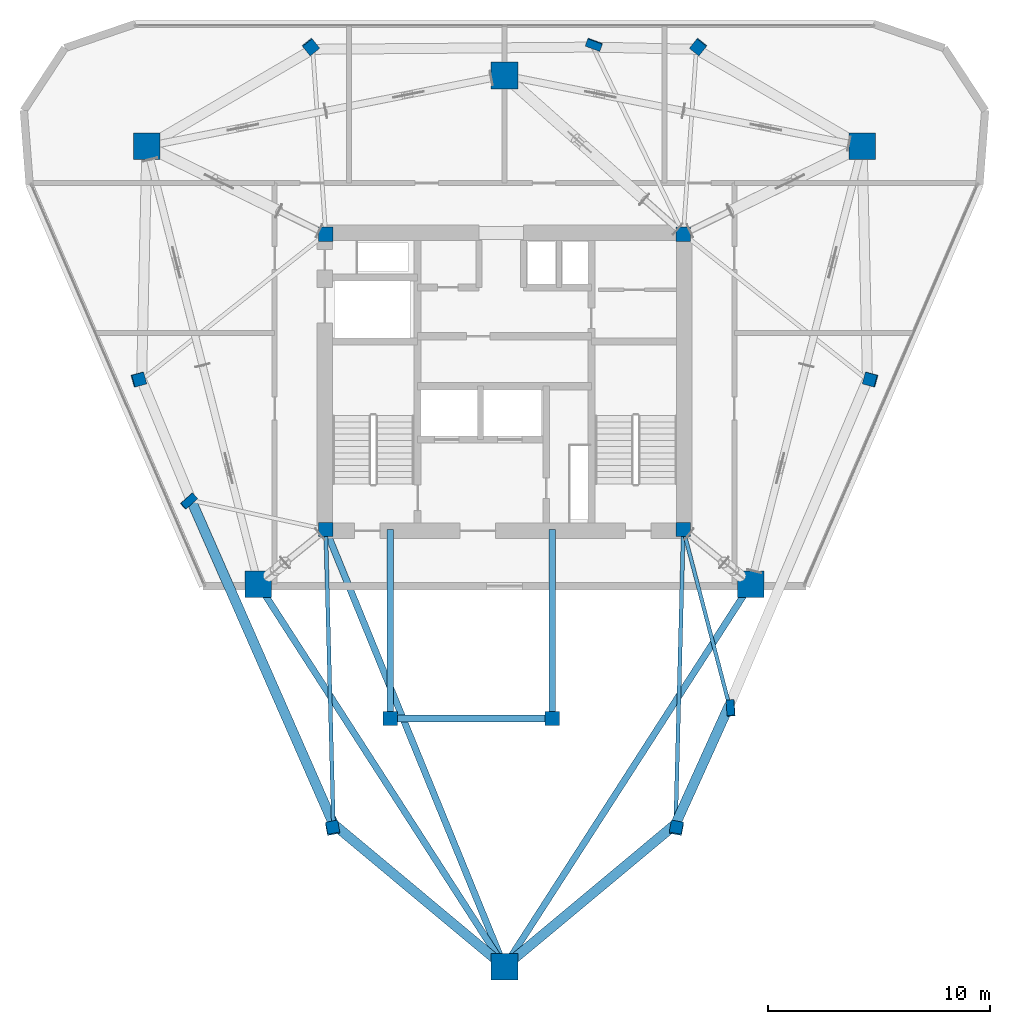
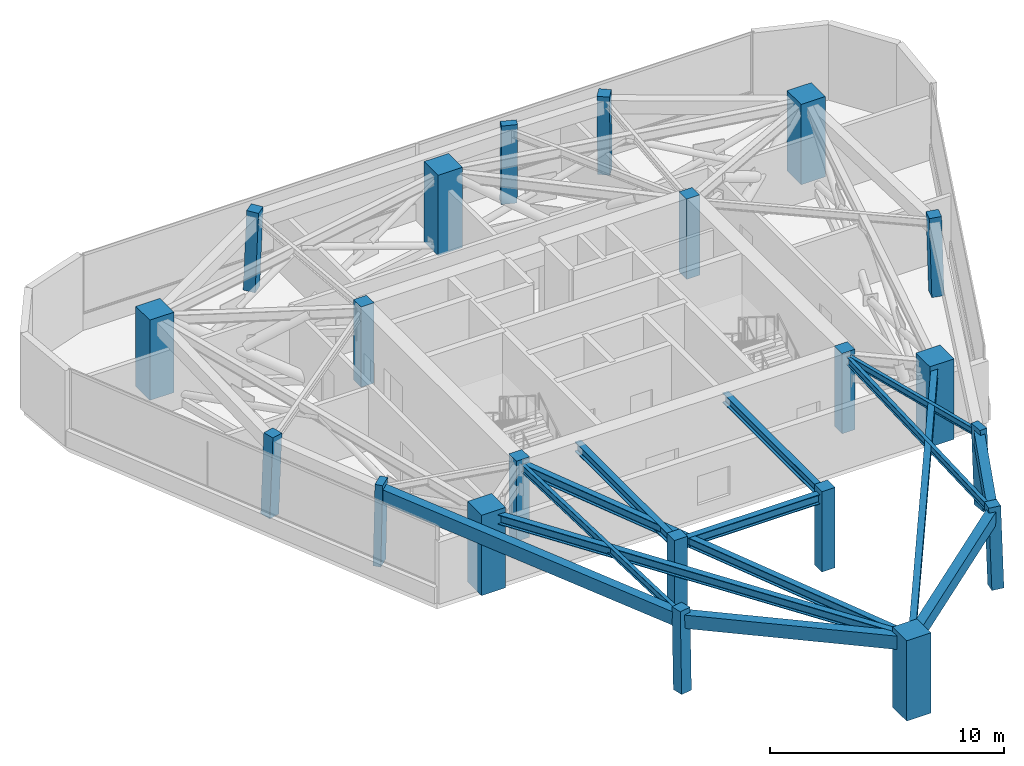
# One storey, part 1 of 9: 21 columns, 13 beams.
"""IFC4 building model written with IfcOpenShell, lengths in metres."""

from ifc_helpers import new_model, si_unit, direction, frame, origin, origin_2d, place, context, subcontext, project, spatial, rectangle, i_section, extrude, material, material_profile, profile_set, type_object, element, save


model = new_model("IFC4")

# Units and contexts
model_context = context("Model", 3, precision=1e-05, world=origin(), true_north=direction((0.0, 1.0)))
body_context = subcontext(model_context, "Body", "Model", "MODEL_VIEW")
ifc_project = project(units=[si_unit("LENGTHUNIT", "METRE"), si_unit("AREAUNIT", "SQUARE_METRE"), si_unit("VOLUMEUNIT", "CUBIC_METRE"), si_unit("PLANEANGLEUNIT", "RADIAN"), si_unit("MASSUNIT", "GRAM", prefix="KILO")], contexts=[model_context])

# Site, building, storey
site_placement = place(None, origin())
site = spatial("IfcSite", under=ifc_project, at=site_placement, CompositionType="ELEMENT")
building_placement = place(site_placement, origin())
building = spatial("IfcBuilding", under=site, at=building_placement, Name="Talyreon Biosciences Tower", CompositionType="ELEMENT")
storey_placement = place(building_placement, frame((0.0, 0.0, 279.60009765625)))
storey = spatial("IfcBuildingStorey", under=building, at=storey_placement, Name="L74", CompositionType="ELEMENT", Elevation=279.60009765625)

# Columns
ifc_material_1 = material(Name="Precast concrete C45/55", Category="concrete")
ifc_material_profile_1 = material_profile(ifc_material_1, rectangle(XDim=0.699951171875, YDim=0.35009765625, at=origin_2d()), Name="RC 700x350")
ifc_profile_set_1 = profile_set([ifc_material_profile_1], Name="Precast concrete C45/55")
column_type_1 = type_object("IfcColumnType", Name="FacadePilaster_700x350", PredefinedType="PILASTER", material=ifc_profile_set_1)
column_1_placement = place(storey_placement, frame((76.19189453125, 53.293212890625, 0.0029296875), z_axis=(-0.016985598882, 0.033331329314, 0.999300010966), x_axis=(0.063096699788, -0.997416414034, 0.034340988508)))
element("IfcColumn", 1, at=column_1_placement, inside=storey, type_object=column_type_1, Name="L74 Facade Pilaster PL-SE", PredefinedType="PILASTER", context=body_context, shape_type="SweptSolid", body=[
    extrude(rectangle(XDim=0.699951171875, YDim=0.35009765625, at=origin_2d()), origin(), (0.0, 0.0, 1.0), 4.197021484375),
])
column_2_placement = place(storey_placement, frame((70.031005859375, 83.189453125, 0.0029296875), z_axis=(-0.010763761875, -0.029149430808, 0.999517109465), x_axis=(-0.9380871136, 0.346399433166, 0.0)))
element("IfcColumn", 2, at=column_2_placement, inside=storey, type_object=column_type_1, Name="L74 Facade Pilaster PL-N", PredefinedType="PILASTER", context=body_context, shape_type="SweptSolid", body=[
    extrude(rectangle(XDim=0.699951171875, YDim=0.35009765625, at=origin_2d()), origin(), (0.0, 0.0, 1.0), 4.196044921875),
])
column_3_placement = place(storey_placement, frame((51.77685546875, 62.622314453125, 0.0029296875), z_axis=(0.027754588644, 0.009193343828, 0.999572491237), x_axis=(0.746314691769, 0.665051907113, -0.0268391821)))
element("IfcColumn", 3, at=column_3_placement, inside=storey, type_object=column_type_1, Name="L74 Facade Pilaster PL-SW", PredefinedType="PILASTER", context=body_context, shape_type="SweptSolid", body=[
    extrude(rectangle(XDim=0.699951171875, YDim=0.35009765625, at=origin_2d()), origin(), (0.0, 0.0, 1.0), 4.19580078125),
])
ifc_material_2 = material(Name="Concrete C50/60", Category="concrete")
ifc_material_profile_2 = material_profile(ifc_material_2, rectangle(XDim=1.199951171875, YDim=1.199951171875, at=origin_2d()), Name="RC 1200x1200")
ifc_profile_set_2 = profile_set([ifc_material_profile_2], Name="Concrete C50/60")
column_type_2 = type_object("IfcColumnType", Name="MegaColumn_1200", PredefinedType="COLUMN", material=ifc_profile_set_2)
for number, where, z_axis, x_axis, name in (
    (4, (66.0, 41.6669921875, 0.0), (0.0, 0.0, 1.0), (1.0, 0.0, 0.0), "L74 Composite Mega-Column MC1"),
    (5, (82.102294921875, 78.5986328125, 0.0), (0.0, 0.0, 1.0), (1.0, 0.0, 0.0), "L74 Composite Mega-Column MC2"),
    (6, (49.897705078125, 78.5986328125, 0.0), (0.0, 0.0, 1.0), (1.0, 0.0, 0.0), "L74 Composite Mega-Column MC3"),
    (7, (77.086181640625, 58.88037109375, 0.0), (0.0, 0.0, 1.0), (1.0, 0.0, 0.0), "L74 Composite Mega-Column MC4"),
    (8, (66.0, 81.788818359375, 0.0), (0.0, 0.0, 1.0), (1.0, 0.0, 0.0), "L74 Composite Mega-Column MC5"),
    (9, (54.913818359375, 58.88037109375, 0.0), (0.0, 0.0, 1.0), (1.0, 0.0, 0.0), "L74 Composite Mega-Column MC6"),
):
    element("IfcColumn", number, at=place(storey_placement, frame(where, z_axis=z_axis, x_axis=x_axis)), inside=storey, type_object=column_type_2, Name=name, PredefinedType="COLUMN", context=body_context, shape_type="SweptSolid", body=[
        extrude(rectangle(XDim=1.199951171875, YDim=1.199951171875, at=origin_2d()), origin(), (0.0, 0.0, 1.0), 4.199951171875),
    ])
ifc_material_profile_3 = material_profile(ifc_material_2, rectangle(XDim=0.550048828125, YDim=0.550048828125, at=origin_2d()), Name="RC 550x550")
ifc_profile_set_3 = profile_set([ifc_material_profile_3], Name="Concrete C50/60")
column_type_3 = type_object("IfcColumnType", Name="PerimeterColumn_550", PredefinedType="COLUMN", material=ifc_profile_set_3)
column_4_placement = place(storey_placement, frame((73.748779296875, 47.890869140625, 0.0029296875), z_axis=(-0.010698106163, 0.047385633276, 0.998819379209), x_axis=(-0.18499287382, -0.981727594112, 0.044593358194)))
element("IfcColumn", 10, at=column_4_placement, inside=storey, type_object=column_type_3, Name="L74 Tapering Perimeter Column PC-SE1", PredefinedType="COLUMN", context=body_context, shape_type="SweptSolid", body=[
    extrude(rectangle(XDim=0.550048828125, YDim=0.550048828125, at=origin_2d()), origin(), (0.0, 0.0, 1.0), 4.198974609375),
])
column_5_placement = place(storey_placement, frame((82.48291015625, 68.10400390625, 0.0029296875), z_axis=(-0.034091179507, -0.004886790236, 0.999406779425), x_axis=(0.964424697996, -0.262460516516, 0.031614540406)))
element("IfcColumn", 11, at=column_5_placement, inside=storey, type_object=column_type_3, Name="L74 Tapering Perimeter Column PC-SE2", PredefinedType="COLUMN", context=body_context, shape_type="SweptSolid", body=[
    extrude(rectangle(XDim=0.550048828125, YDim=0.550048828125, at=origin_2d()), origin(), (0.0, 0.0, 1.0), 4.196533203125),
])
for number, where, z_axis, x_axis, name in (
    (12, (74.73388671875, 83.089599609375, 0.0029296875), (-0.023326184215, -0.02914318776, 0.999303038991), (-0.780716755404, 0.624885067698, 0.0), "L74 Tapering Perimeter Column PC-N1"),
    (13, (57.26611328125, 83.089599609375, 0.0029296875), (0.023326184215, -0.02914318776, 0.999303038991), (-0.780716755404, -0.624885067698, 0.0), "L74 Tapering Perimeter Column PC-N2"),
):
    element("IfcColumn", number, at=place(storey_placement, frame(where, z_axis=z_axis, x_axis=x_axis)), inside=storey, type_object=column_type_3, Name=name, PredefinedType="COLUMN", context=body_context, shape_type="SweptSolid", body=[
        extrude(rectangle(XDim=0.550048828125, YDim=0.550048828125, at=origin_2d()), origin(), (0.0, 0.0, 1.0), 4.197021484375),
    ])
column_6_placement = place(storey_placement, frame((49.51708984375, 68.10400390625, 0.0029296875), z_axis=(0.034091179507, -0.004886790236, 0.999406779425), x_axis=(0.964424697996, 0.262460516516, -0.031614540406)))
element("IfcColumn", 14, at=column_6_placement, inside=storey, type_object=column_type_3, Name="L74 Tapering Perimeter Column PC-SW1", PredefinedType="COLUMN", context=body_context, shape_type="SweptSolid", body=[
    extrude(rectangle(XDim=0.550048828125, YDim=0.550048828125, at=origin_2d()), origin(), (0.0, 0.0, 1.0), 4.196533203125),
])
column_7_placement = place(storey_placement, frame((58.251220703125, 47.890869140625, 0.0029296875), z_axis=(0.010698106163, 0.047385633276, 0.998819379209), x_axis=(-0.18499287382, 0.981727594112, -0.044593358194)))
element("IfcColumn", 15, at=column_7_placement, inside=storey, type_object=column_type_3, Name="L74 Tapering Perimeter Column PC-SW2", PredefinedType="COLUMN", context=body_context, shape_type="SweptSolid", body=[
    extrude(rectangle(XDim=0.550048828125, YDim=0.550048828125, at=origin_2d()), origin(), (0.0, 0.0, 1.0), 4.198974609375),
])
ifc_material_profile_4 = material_profile(ifc_material_2, rectangle(XDim=0.64990234375, YDim=0.64990234375, at=origin_2d()), Name="RC 650x650")
ifc_profile_set_4 = profile_set([ifc_material_profile_4], Name="Concrete C50/60")
column_type_4 = type_object("IfcColumnType", Name="PerimeterColumn_650", PredefinedType="COLUMN", material=ifc_profile_set_4)
for number, where, z_axis, x_axis, name in (
    (16, (57.949951171875, 61.35009765625, 0.0), (0.0, 0.0, 1.0), (1.0, 0.0, 0.0), "L74 Core Column CC1"),
    (17, (74.050048828125, 61.35009765625, 0.0), (0.0, 0.0, 1.0), (1.0, 0.0, 0.0), "L74 Core Column CC2"),
    (18, (74.050048828125, 74.64990234375, 0.0), (0.0, 0.0, 1.0), (1.0, 0.0, 0.0), "L74 Core Column CC3"),
    (19, (57.949951171875, 74.64990234375, 0.0), (0.0, 0.0, 1.0), (1.0, 0.0, 0.0), "L74 Core Column CC4"),
    (20, (60.85009765625, 52.840087890625, 0.0), (0.0, 0.0, 1.0), (1.0, 0.0, 0.0), "L74 Core Column CSW"),
    (21, (68.14990234375, 52.840087890625, 0.0), (0.0, 0.0, 1.0), (1.0, 0.0, 0.0), "L74 Core Column CSE"),
):
    element("IfcColumn", number, at=place(storey_placement, frame(where, z_axis=z_axis, x_axis=x_axis)), inside=storey, type_object=column_type_4, Name=name, PredefinedType="COLUMN", context=body_context, shape_type="SweptSolid", body=[
        extrude(rectangle(XDim=0.64990234375, YDim=0.64990234375, at=origin_2d()), origin(), (0.0, 0.0, 1.0), 4.199951171875),
    ])

# Beams
ifc_material_profile_5 = material_profile(ifc_material_1, rectangle(XDim=0.449951171875, YDim=0.699951171875, at=origin_2d()), Name="RCB 450x700")
ifc_profile_set_5 = profile_set([ifc_material_profile_5], Name="Precast concrete C45/55")
beam_type_1 = type_object("IfcBeamType", Name="ExpressedSpandrel_450x700", PredefinedType="SPANDREL", material=ifc_profile_set_5)
beam_1_placement = place(storey_placement, frame((66.0, 41.6669921875, 3.599853515625), z_axis=(0.768075613629, 0.640359158401, 0.0), x_axis=(-0.640359158401, 0.768075613629, 0.0)))
element("IfcBeam", 22, at=beam_1_placement, inside=storey, type_object=beam_type_1, Name="L74 Expressed Horizontal Concrete Spandrel 01", PredefinedType="SPANDREL", context=body_context, shape_type="SweptSolid", body=[
    extrude(rectangle(XDim=0.449951171875, YDim=0.699951171875, at=origin_2d()), origin(), (0.0, 0.0, 1.0), 10.030029296875),
])
beam_2_placement = place(storey_placement, frame((73.703857421875, 48.08984375, 3.599853515625), z_axis=(0.412105334215, 0.911136210186, 0.0), x_axis=(-0.911136210186, 0.412105334215, 0.0)))
element("IfcBeam", 23, at=beam_2_placement, inside=storey, type_object=beam_type_1, Name="L74 Expressed Horizontal Concrete Spandrel 02", PredefinedType="SPANDREL", context=body_context, shape_type="SweptSolid", body=[
    extrude(rectangle(XDim=0.449951171875, YDim=0.699951171875, at=origin_2d()), origin(), (0.0, 0.0, 1.0), 5.864501953125),
])
beam_3_placement = place(storey_placement, frame((51.893310546875, 62.660888671875, 3.599853515625), z_axis=(0.402294933309, -0.91551012372, 0.0), x_axis=(0.91551012372, 0.402294933309, 0.0)))
element("IfcBeam", 24, at=beam_3_placement, inside=storey, type_object=beam_type_1, Name="L74 Expressed Horizontal Concrete Spandrel 11", PredefinedType="SPANDREL", context=body_context, shape_type="SweptSolid", body=[
    extrude(rectangle(XDim=0.449951171875, YDim=0.699951171875, at=origin_2d()), origin(), (0.0, 0.0, 1.0), 15.915771484375),
])
beam_4_placement = place(storey_placement, frame((58.296142578125, 48.08984375, 3.599853515625), z_axis=(0.768075613629, -0.640359158401, 0.0), x_axis=(0.640359158401, 0.768075613629, 0.0)))
element("IfcBeam", 25, at=beam_4_placement, inside=storey, type_object=beam_type_1, Name="L74 Expressed Horizontal Concrete Spandrel 12", PredefinedType="SPANDREL", context=body_context, shape_type="SweptSolid", body=[
    extrude(rectangle(XDim=0.449951171875, YDim=0.699951171875, at=origin_2d()), origin(), (0.0, 0.0, 1.0), 10.030029296875),
])
ifc_material_3 = material(Name="Steel SM355", Category="steel")
ifc_material_profile_6 = material_profile(ifc_material_3, i_section(OverallWidth=0.300048828125, OverallDepth=0.5, WebThickness=0.014404296875, FlangeThickness=0.028076171875, FilletRadius=0.027099609375, at=origin_2d()), Name="HE500B")
ifc_profile_set_6 = profile_set([ifc_material_profile_6], Name="Steel SM355")
beam_type_2 = type_object("IfcBeamType", Name="SteelBeam_HE500B", PredefinedType="BEAM", material=ifc_profile_set_6)
for number, where, z_axis, x_axis, name in (
    (26, (66.0, 41.6669921875, 3.699951171875), (0.541463723609, 0.840724114092, 0.0), (-0.840724114092, 0.541463723609, 0.0), "L74 Mega-Ring Girder 1"),
    (27, (54.913818359375, 58.88037109375, 3.699951171875), (0.541463723609, -0.840724114092, 0.0), (0.840724114092, 0.541463723609, 0.0), "L74 Mega-Ring Girder 6"),
):
    element("IfcBeam", number, at=place(storey_placement, frame(where, z_axis=z_axis, x_axis=x_axis)), inside=storey, type_object=beam_type_2, Name=name, PredefinedType="BEAM", context=body_context, shape_type="SweptSolid", body=[
        extrude(i_section(OverallWidth=0.300048828125, OverallDepth=0.5, WebThickness=0.014404296875, FlangeThickness=0.028076171875, FilletRadius=0.027099609375, at=origin_2d()), origin(), (0.0, 0.0, 1.0), 20.474365234375),
    ])
beam_5_placement = place(storey_placement, frame((57.949951171875, 61.35009765625, 3.699951171875), z_axis=(0.378547014545, -0.925582064314, 0.0), x_axis=(0.925582064314, 0.378547014545, 0.0)))
element("IfcBeam", 28, at=beam_5_placement, inside=storey, type_object=beam_type_2, Name="L74 Radial Primary Girder 1", PredefinedType="BEAM", context=body_context, shape_type="SweptSolid", body=[
    extrude(i_section(OverallWidth=0.300048828125, OverallDepth=0.5, WebThickness=0.014404296875, FlangeThickness=0.028076171875, FilletRadius=0.027099609375, at=origin_2d()), origin(), (0.0, 0.0, 1.0), 21.265625),
])
beam_6_placement = place(storey_placement, frame((60.85009765625, 52.840087890625, 3.699951171875), z_axis=(1.0, 0.0, 0.0), x_axis=(0.0, 1.0, 0.0)))
element("IfcBeam", 29, at=beam_6_placement, inside=storey, type_object=beam_type_2, Name="L74 Crown Shaft Spine Girder S", PredefinedType="BEAM", context=body_context, shape_type="SweptSolid", body=[
    extrude(i_section(OverallWidth=0.300048828125, OverallDepth=0.5, WebThickness=0.014404296875, FlangeThickness=0.028076171875, FilletRadius=0.027099609375, at=origin_2d()), origin(), (0.0, 0.0, 1.0), 7.2998046875),
])
for number, where, z_axis, x_axis, name in (
    (30, (60.85009765625, 52.840087890625, 3.699951171875), (0.0, 1.0, 0.0), (-1.0, 0.0, 0.0), "L74 Crown Shaft Tie Girder W"),
    (31, (68.14990234375, 52.840087890625, 3.699951171875), (0.0, 1.0, 0.0), (-1.0, 0.0, 0.0), "L74 Crown Shaft Tie Girder E"),
):
    element("IfcBeam", number, at=place(storey_placement, frame(where, z_axis=z_axis, x_axis=x_axis)), inside=storey, type_object=beam_type_2, Name=name, PredefinedType="BEAM", context=body_context, shape_type="SweptSolid", body=[
        extrude(i_section(OverallWidth=0.300048828125, OverallDepth=0.5, WebThickness=0.014404296875, FlangeThickness=0.028076171875, FilletRadius=0.027099609375, at=origin_2d()), origin(), (0.0, 0.0, 1.0), 8.510009765625),
    ])
ifc_material_profile_7 = material_profile(ifc_material_3, i_section(OverallWidth=0.169921875, OverallDepth=0.360107421875, WebThickness=0.008056640625, FlangeThickness=0.0126953125, FilletRadius=0.01806640625, at=origin_2d()), Name="IPE360")
ifc_profile_set_7 = profile_set([ifc_material_profile_7], Name="Steel SM355")
beam_type_3 = type_object("IfcBeamType", Name="SteelJoist_IPE360", PredefinedType="JOIST", material=ifc_profile_set_7)
beam_7_placement = place(storey_placement, frame((74.050048828125, 61.35009765625, 3.77001953125), z_axis=(0.253023018785, -0.967460258597, 0.0), x_axis=(0.967460258597, 0.253023018785, 0.0)))
element("IfcBeam", 32, at=beam_7_placement, inside=storey, type_object=beam_type_3, Name="L74 Radial Composite Floor Joist PL-SE", PredefinedType="JOIST", context=body_context, shape_type="SweptSolid", body=[
    extrude(i_section(OverallWidth=0.169921875, OverallDepth=0.360107421875, WebThickness=0.008056640625, FlangeThickness=0.0126953125, FilletRadius=0.01806640625, at=origin_2d()), origin(), (0.0, 0.0, 1.0), 8.183349609375),
])
ifc_material_profile_8 = material_profile(ifc_material_3, i_section(OverallWidth=0.179931640625, OverallDepth=0.39990234375, WebThickness=0.008544921875, FlangeThickness=0.013427734375, FilletRadius=0.02099609375, at=origin_2d()), Name="IPE400")
ifc_profile_set_8 = profile_set([ifc_material_profile_8], Name="Steel SM355")
beam_type_4 = type_object("IfcBeamType", Name="SteelJoist_IPE400", PredefinedType="JOIST", material=ifc_profile_set_8)
for number, where, z_axis, x_axis, name in (
    (33, (74.050048828125, 61.35009765625, 3.75), (-0.026098556418, -0.999659374664, 0.0), (0.999659374664, -0.026098556418, 0.0), "L74 Radial Composite Floor Joist PC-SE1"),
    (34, (57.949951171875, 61.35009765625, 3.75), (0.026098556418, -0.999659374664, 0.0), (0.999659374664, 0.026098556418, 0.0), "L74 Radial Composite Floor Joist PC-SW2"),
):
    element("IfcBeam", number, at=place(storey_placement, frame(where, z_axis=z_axis, x_axis=x_axis)), inside=storey, type_object=beam_type_4, Name=name, PredefinedType="JOIST", context=body_context, shape_type="SweptSolid", body=[
        extrude(i_section(OverallWidth=0.179931640625, OverallDepth=0.39990234375, WebThickness=0.008544921875, FlangeThickness=0.013427734375, FilletRadius=0.02099609375, at=origin_2d()), origin(), (0.0, 0.0, 1.0), 13.264892578125),
    ])

save(model, "model.ifc")
